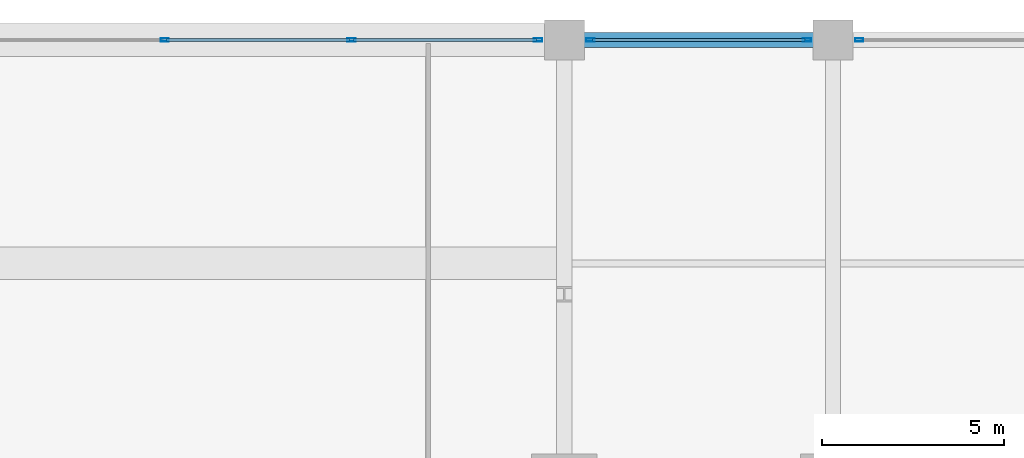
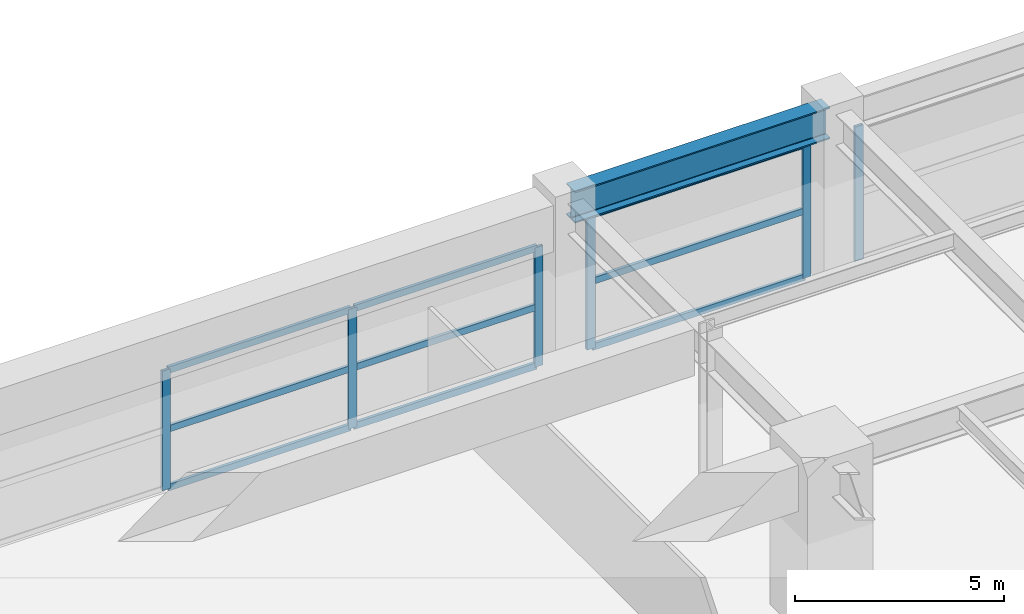
# One storey, part 19 of 35: 15 members, 1 beam, 3 elements without a shape of their own.
"""IFC4 building model written with IfcOpenShell, lengths in metres."""

from ifc_helpers import new_model, si_unit, direction, frame, origin, origin_2d, place, context, subcontext, project, spatial, hollow_rectangle, i_section, extrude, material, material_profile, profile_set, type_object, element, aggregate, save


model = new_model("IFC4")

# Units and contexts
model_context = context("Model", 3, precision=1e-05, world=origin(), true_north=direction((0.0, 1.0)))
body_context = subcontext(model_context, "Body", "Model", "MODEL_VIEW")
ifc_project = project(units=[si_unit("LENGTHUNIT", "METRE"), si_unit("AREAUNIT", "SQUARE_METRE"), si_unit("VOLUMEUNIT", "CUBIC_METRE"), si_unit("PLANEANGLEUNIT", "RADIAN"), si_unit("MASSUNIT", "GRAM", prefix="KILO")], contexts=[model_context])

# Site, building, storey
site_placement = place(None, origin())
site = spatial("IfcSite", under=ifc_project, at=site_placement, CompositionType="ELEMENT")
building_placement = place(site_placement, origin())
building = spatial("IfcBuilding", under=site, at=building_placement, Name="Kovane Verandah Tower", CompositionType="ELEMENT")
storey_placement = place(building_placement, frame((0.0, 0.0, 16.39990234375)))
storey = spatial("IfcBuildingStorey", under=building, at=storey_placement, Name="L03", CompositionType="ELEMENT", Elevation=16.39990234375)

# Beam
ifc_material_1 = material(Name="Steel S460", Category="steel")
ifc_material_profile_1 = material_profile(ifc_material_1, i_section(OverallWidth=0.42041015625, OverallDepth=0.9208984375, WebThickness=0.021484375, FlangeThickness=0.03662109375, FilletRadius=0.024169921875, at=origin_2d()), Name="UB914x419x388")
ifc_profile_set_1 = profile_set([ifc_material_profile_1], Name="Steel S460")
beam_type = type_object("IfcBeamType", Name="BM-UB914x388", PredefinedType="BEAM", material=ifc_profile_set_1)
beam_placement = place(storey_placement, frame((51.179931640625, 56.5, 4.439697265625), z_axis=(1.0, 0.0, 0.0), x_axis=(0.0, 1.0, 0.0)))
element("IfcBeam", 1, at=beam_placement, inside=storey, type_object=beam_type, Name="L03 Podium Garden Transfer Girder X21", PredefinedType="BEAM", context=body_context, shape_type="SweptSolid", body=[
    extrude(i_section(OverallWidth=0.42041015625, OverallDepth=0.9208984375, WebThickness=0.021484375, FlangeThickness=0.03662109375, FilletRadius=0.024169921875, at=origin_2d()), origin(), (0.0, 0.0, 1.0), 7.0400390625),
])

# Curtain wall, members
ifc_material_2 = material(Name="Champagne Anodised Aluminium Frame with Low-E Clear Laminated Glass", Category="aluminium")
curtain_wall_type = type_object("IfcCurtainWallType", Name="CW-SYS-01-POD", PredefinedType="NOTDEFINED", material=ifc_material_2)
curtain_wall_1_placement = place(storey_placement, origin())
curtain_wall_1 = element("IfcCurtainWall", 2, at=curtain_wall_1_placement, inside=storey, type_object=curtain_wall_type, Name="L03 North Podium Curtain Wall Bay 4", PredefinedType="NOTDEFINED")
ifc_material_3 = material(Name="Champagne Anodised Aluminium 6063-T6", Category="aluminium")
ifc_material_profile_2 = material_profile(ifc_material_3, hollow_rectangle(XDim=0.0849609375, YDim=0.22998046875, WallThickness=0.00390625, at=origin_2d()), Name="AL85x230x4")
ifc_profile_set_2 = profile_set([ifc_material_profile_2], Name="Champagne Anodised Aluminium 6063-T6")
member_type_1 = type_object("IfcMemberType", Name="CW-MUL-85x230", PredefinedType="MULLION", material=ifc_profile_set_2)
member_1_placement = place(storey_placement, frame((50.280029296875, 56.5, 0.02001953125), z_axis=(0.0, 0.0, 1.0), x_axis=(0.0, 1.0, 0.0)))
member_1 = element("IfcMember", 3, at=member_1_placement, type_object=member_type_1, Name="L03 North Podium Curtain Wall Bay 4 Mullion 1", PredefinedType="MULLION", context=body_context, shape_type="SweptSolid", body=[
    extrude(hollow_rectangle(XDim=0.0849609375, YDim=0.22998046875, WallThickness=0.00390625, at=origin_2d()), origin(), (0.0, 0.0, 1.0), 3.489990234375),
])
member_2_placement = place(storey_placement, frame((45.139892578125, 56.5, 0.02001953125), z_axis=(0.0, 0.0, 1.0), x_axis=(0.0, 1.0, 0.0)))
member_2 = element("IfcMember", 4, at=member_2_placement, type_object=member_type_1, Name="L03 North Podium Curtain Wall Bay 4 Mullion 2", PredefinedType="MULLION", context=body_context, shape_type="SweptSolid", body=[
    extrude(hollow_rectangle(XDim=0.0849609375, YDim=0.22998046875, WallThickness=0.00390625, at=origin_2d()), origin(), (0.0, 0.0, 1.0), 3.489990234375),
])
member_3_placement = place(storey_placement, frame((40.0, 56.5, 0.02001953125), z_axis=(0.0, 0.0, 1.0), x_axis=(0.0, 1.0, 0.0)))
member_3 = element("IfcMember", 5, at=member_3_placement, type_object=member_type_1, Name="L03 North Podium Curtain Wall Bay 4 Mullion 3", PredefinedType="MULLION", context=body_context, shape_type="SweptSolid", body=[
    extrude(hollow_rectangle(XDim=0.0849609375, YDim=0.22998046875, WallThickness=0.00390625, at=origin_2d()), origin(), (0.0, 0.0, 1.0), 3.489990234375),
])

curtain_wall_2_placement = place(storey_placement, origin())
curtain_wall_2 = element("IfcCurtainWall", 6, at=curtain_wall_2_placement, inside=storey, type_object=curtain_wall_type, Name="L03 North Podium Curtain Wall Bay 5", PredefinedType="NOTDEFINED")
member_4_placement = place(storey_placement, frame((57.679931640625, 56.5, 0.02001953125), z_axis=(0.0, 0.0, 1.0), x_axis=(0.0, 1.0, 0.0)))
member_4 = element("IfcMember", 7, at=member_4_placement, type_object=member_type_1, Name="L03 North Podium Curtain Wall Bay 5 Mullion 1", PredefinedType="MULLION", context=body_context, shape_type="SweptSolid", body=[
    extrude(hollow_rectangle(XDim=0.0849609375, YDim=0.22998046875, WallThickness=0.00390625, at=origin_2d()), origin(), (0.0, 0.0, 1.0), 3.919189453125),
])
member_5_placement = place(storey_placement, frame((51.719970703125, 56.5, 0.02001953125), z_axis=(0.0, 0.0, 1.0), x_axis=(0.0, 1.0, 0.0)))
member_5 = element("IfcMember", 8, at=member_5_placement, type_object=member_type_1, Name="L03 North Podium Curtain Wall Bay 5 Mullion 2", PredefinedType="MULLION", context=body_context, shape_type="SweptSolid", body=[
    extrude(hollow_rectangle(XDim=0.0849609375, YDim=0.22998046875, WallThickness=0.00390625, at=origin_2d()), origin(), (0.0, 0.0, 1.0), 3.919189453125),
])

# Curtain wall, member
curtain_wall_3_placement = place(storey_placement, origin())
curtain_wall_3 = element("IfcCurtainWall", 9, at=curtain_wall_3_placement, inside=storey, type_object=curtain_wall_type, Name="L03 North Podium Curtain Wall Bay 6", PredefinedType="NOTDEFINED")
member_6_placement = place(storey_placement, frame((59.1201171875, 56.5, 0.02001953125), z_axis=(0.0, 0.0, 1.0), x_axis=(0.0, 1.0, 0.0)))
member_6 = element("IfcMember", 10, at=member_6_placement, type_object=member_type_1, Name="L03 North Podium Curtain Wall Bay 6 Mullion 3", PredefinedType="MULLION", context=body_context, shape_type="SweptSolid", body=[
    extrude(hollow_rectangle(XDim=0.0849609375, YDim=0.22998046875, WallThickness=0.00390625, at=origin_2d()), origin(), (0.0, 0.0, 1.0), 3.919189453125),
])
aggregate(curtain_wall_3, [member_6])

# Member
ifc_material_profile_3 = material_profile(ifc_material_3, hollow_rectangle(XDim=0.0849609375, YDim=0.18994140625, WallThickness=0.00390625, at=origin_2d()), Name="AL85x190x4")
ifc_profile_set_3 = profile_set([ifc_material_profile_3], Name="Champagne Anodised Aluminium 6063-T6")
member_type_2 = type_object("IfcMemberType", Name="CW-TRN-85x190", PredefinedType="USERDEFINED", material=ifc_profile_set_3)
member_7_placement = place(storey_placement, frame((50.22998046875, 56.5, 0.050048828125), z_axis=(-1.0, 0.0, 0.0), x_axis=(0.0, -1.0, 0.0)))
member_7 = element("IfcMember", 11, at=member_7_placement, type_object=member_type_2, Name="L03 North Podium Curtain Wall Bay 4 Transom TB Bay 1", ObjectType="TRANSOM", PredefinedType="USERDEFINED", context=body_context, shape_type="SweptSolid", body=[
    extrude(hollow_rectangle(XDim=0.0849609375, YDim=0.18994140625, WallThickness=0.00390625, at=origin_2d()), origin(), (0.0, 0.0, 1.0), 5.0400390625),
])

member_8_placement = place(storey_placement, frame((50.22998046875, 56.5, 1.76513671875), z_axis=(-1.0, 0.0, 0.0), x_axis=(0.0, -1.0, 0.0)))
member_8 = element("IfcMember", 12, at=member_8_placement, type_object=member_type_2, Name="L03 North Podium Curtain Wall Bay 4 Transom TM Bay 1", ObjectType="TRANSOM", PredefinedType="USERDEFINED", context=body_context, shape_type="SweptSolid", body=[
    extrude(hollow_rectangle(XDim=0.0849609375, YDim=0.18994140625, WallThickness=0.00390625, at=origin_2d()), origin(), (0.0, 0.0, 1.0), 5.0400390625),
])

member_9_placement = place(storey_placement, frame((50.22998046875, 56.5, 3.47998046875), z_axis=(-1.0, 0.0, 0.0), x_axis=(0.0, -1.0, 0.0)))
member_9 = element("IfcMember", 13, at=member_9_placement, type_object=member_type_2, Name="L03 North Podium Curtain Wall Bay 4 Transom TT Bay 1", ObjectType="TRANSOM", PredefinedType="USERDEFINED", context=body_context, shape_type="SweptSolid", body=[
    extrude(hollow_rectangle(XDim=0.0849609375, YDim=0.18994140625, WallThickness=0.00390625, at=origin_2d()), origin(), (0.0, 0.0, 1.0), 5.0400390625),
])

member_10_placement = place(storey_placement, frame((45.090087890625, 56.5, 0.050048828125), z_axis=(-1.0, 0.0, 0.0), x_axis=(0.0, -1.0, 0.0)))
member_10 = element("IfcMember", 14, at=member_10_placement, type_object=member_type_2, Name="L03 North Podium Curtain Wall Bay 4 Transom TB Bay 2", ObjectType="TRANSOM", PredefinedType="USERDEFINED", context=body_context, shape_type="SweptSolid", body=[
    extrude(hollow_rectangle(XDim=0.0849609375, YDim=0.18994140625, WallThickness=0.00390625, at=origin_2d()), origin(), (0.0, 0.0, 1.0), 5.0400390625),
])

member_11_placement = place(storey_placement, frame((45.090087890625, 56.5, 1.76513671875), z_axis=(-1.0, 0.0, 0.0), x_axis=(0.0, -1.0, 0.0)))
member_11 = element("IfcMember", 15, at=member_11_placement, type_object=member_type_2, Name="L03 North Podium Curtain Wall Bay 4 Transom TM Bay 2", ObjectType="TRANSOM", PredefinedType="USERDEFINED", context=body_context, shape_type="SweptSolid", body=[
    extrude(hollow_rectangle(XDim=0.0849609375, YDim=0.18994140625, WallThickness=0.00390625, at=origin_2d()), origin(), (0.0, 0.0, 1.0), 5.0400390625),
])

member_12_placement = place(storey_placement, frame((45.090087890625, 56.5, 3.47998046875), z_axis=(-1.0, 0.0, 0.0), x_axis=(0.0, -1.0, 0.0)))
member_12 = element("IfcMember", 16, at=member_12_placement, type_object=member_type_2, Name="L03 North Podium Curtain Wall Bay 4 Transom TT Bay 2", ObjectType="TRANSOM", PredefinedType="USERDEFINED", context=body_context, shape_type="SweptSolid", body=[
    extrude(hollow_rectangle(XDim=0.0849609375, YDim=0.18994140625, WallThickness=0.00390625, at=origin_2d()), origin(), (0.0, 0.0, 1.0), 5.0400390625),
])

aggregate(curtain_wall_1, [member_1, member_2, member_3, member_7, member_8, member_9, member_10, member_11, member_12])

member_13_placement = place(storey_placement, frame((57.6298828125, 56.5, 0.050048828125), z_axis=(-1.0, 0.0, 0.0), x_axis=(0.0, -1.0, 0.0)))
member_13 = element("IfcMember", 17, at=member_13_placement, type_object=member_type_2, Name="L03 North Podium Curtain Wall Bay 5 Transom TB Bay 1", ObjectType="TRANSOM", PredefinedType="USERDEFINED", context=body_context, shape_type="SweptSolid", body=[
    extrude(hollow_rectangle(XDim=0.0849609375, YDim=0.18994140625, WallThickness=0.00390625, at=origin_2d()), origin(), (0.0, 0.0, 1.0), 5.85986328125),
])

member_14_placement = place(storey_placement, frame((57.6298828125, 56.5, 1.9794921875), z_axis=(-1.0, 0.0, 0.0), x_axis=(0.0, -1.0, 0.0)))
member_14 = element("IfcMember", 18, at=member_14_placement, type_object=member_type_2, Name="L03 North Podium Curtain Wall Bay 5 Transom TM Bay 1", ObjectType="TRANSOM", PredefinedType="USERDEFINED", context=body_context, shape_type="SweptSolid", body=[
    extrude(hollow_rectangle(XDim=0.0849609375, YDim=0.18994140625, WallThickness=0.00390625, at=origin_2d()), origin(), (0.0, 0.0, 1.0), 5.85986328125),
])

member_15_placement = place(storey_placement, frame((57.6298828125, 56.5, 3.9091796875), z_axis=(-1.0, 0.0, 0.0), x_axis=(0.0, -1.0, 0.0)))
member_15 = element("IfcMember", 19, at=member_15_placement, type_object=member_type_2, Name="L03 North Podium Curtain Wall Bay 5 Transom TT Bay 1", ObjectType="TRANSOM", PredefinedType="USERDEFINED", context=body_context, shape_type="SweptSolid", body=[
    extrude(hollow_rectangle(XDim=0.0849609375, YDim=0.18994140625, WallThickness=0.00390625, at=origin_2d()), origin(), (0.0, 0.0, 1.0), 5.85986328125),
])

aggregate(curtain_wall_2, [member_4, member_5, member_13, member_14, member_15])

save(model, "model.ifc")
